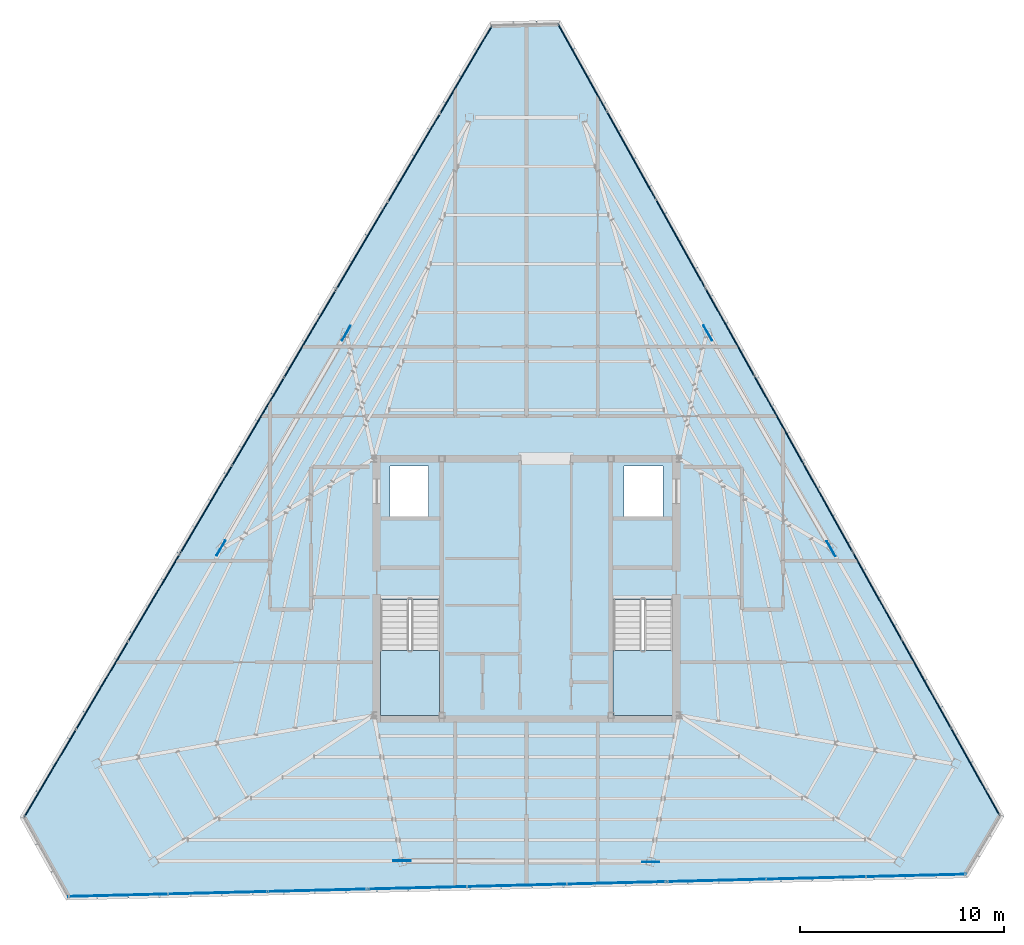
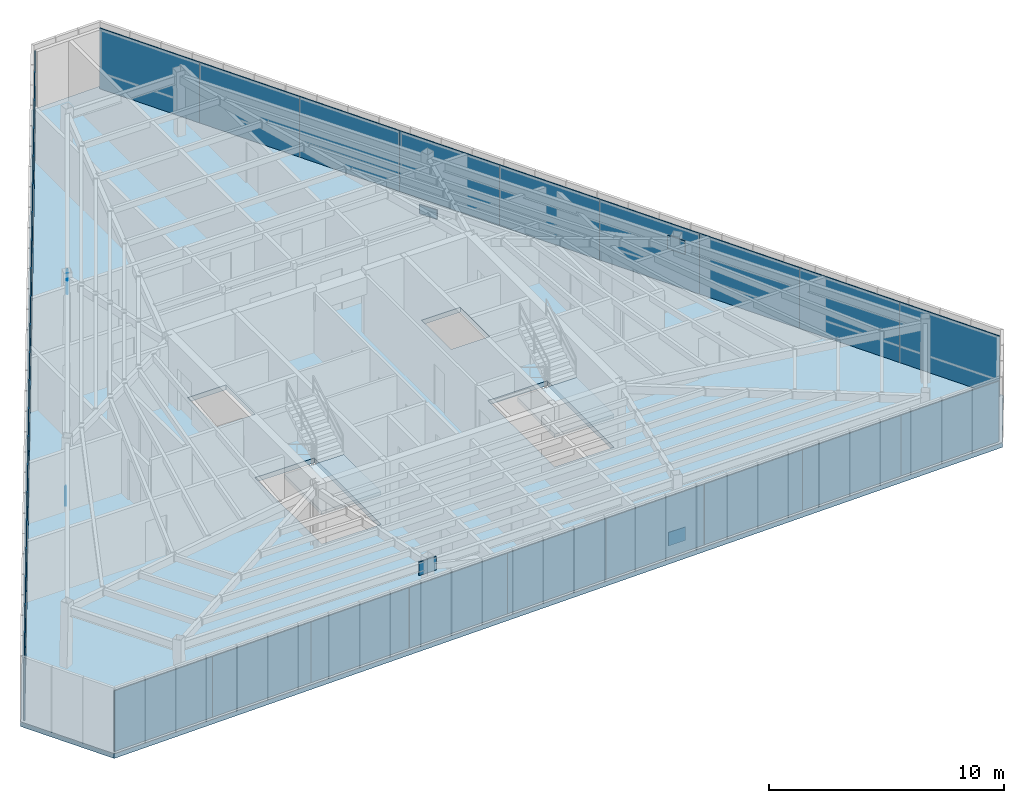
# One storey, part 38 of 48: 33 plates, 3 slabs, 11 elements without a shape of their own.
"""IFC4 building model written with IfcOpenShell, lengths in metres."""

from ifc_helpers import new_model, si_unit, direction, frame, origin, origin_2d, place, context, subcontext, project, spatial, polyline, rectangle, outline, extrude, source, transform, mapped, material, layer, layer_set, type_object, type_shapes, element, aggregate, save


model = new_model("IFC4")

# Units and contexts
model_context = context("Model", 3, precision=1e-05, world=origin(), true_north=direction((0.0, 1.0)))
body_context = subcontext(model_context, "Body", "Model", "MODEL_VIEW")
ifc_project = project(units=[si_unit("LENGTHUNIT", "METRE"), si_unit("AREAUNIT", "SQUARE_METRE"), si_unit("VOLUMEUNIT", "CUBIC_METRE"), si_unit("PLANEANGLEUNIT", "RADIAN"), si_unit("MASSUNIT", "GRAM", prefix="KILO")], contexts=[model_context])

# Site, building, storey
site_placement = place(None, origin())
site = spatial("IfcSite", under=ifc_project, at=site_placement, CompositionType="ELEMENT")
building_placement = place(site_placement, origin())
building = spatial("IfcBuilding", under=site, at=building_placement, Name="Caelisora Broadcast Tower", CompositionType="ELEMENT")
storey_placement = place(building_placement, frame((0.0, 0.0, 300.0)))
storey = spatial("IfcBuildingStorey", under=building, at=storey_placement, Name="L79", CompositionType="ELEMENT", Elevation=300.0)

# Slab
ifc_material_1 = material(Name="Concrete 45 MPa (AS 3600 S45)", Category="concrete")
ifc_layer_1 = layer(ifc_material_1, 0.25, Name="Concrete 45 MPa (AS 3600 S45)")
ifc_layer_set_1 = layer_set([ifc_layer_1], Name="Concrete 45 MPa (AS 3600 S45)")
slab_type_1 = type_object("IfcSlabType", Name="SL05", PredefinedType="FLOOR", material=ifc_layer_set_1)
slab_1_placement = place(storey_placement, frame((0.0, 0.0, -0.25)))
element("IfcSlab", 1, at=slab_1_placement, inside=storey, type_object=slab_type_1, Name="L79 suspended floor SL05", PredefinedType="FLOOR", context=body_context, shape_type="SweptSolid", body=[
    extrude(outline(polyline([(39.62890625, 51.52294921875), (36.22412109375, 51.43896484375), (13.14208984375, 12.387939453125), (15.39794921875, 8.345947265625), (59.659912109375, 9.444091796875), (61.43603515625, 12.447998046875), (39.62890625, 51.52294921875)]), holes=[polyline([(30.820068359375, 17.39990234375), (33.739990234375, 17.39990234375), (33.739990234375, 23.080078125), (30.820068359375, 23.080078125), (30.820068359375, 17.39990234375)]), polyline([(42.260009765625, 17.39990234375), (45.179931640625, 17.39990234375), (45.179931640625, 23.080078125), (42.260009765625, 23.080078125), (42.260009765625, 17.39990234375)]), polyline([(42.800048828125, 27.14990234375), (44.699951171875, 27.14990234375), (44.699951171875, 29.64990234375), (42.800048828125, 29.64990234375), (42.800048828125, 27.14990234375)]), polyline([(31.300048828125, 27.14990234375), (33.199951171875, 27.14990234375), (33.199951171875, 29.64990234375), (31.300048828125, 29.64990234375), (31.300048828125, 27.14990234375)])]), origin(), (0.0, 0.0, 1.0), 0.25),
])

# Stair, slab
ifc_material_2 = material(Name="Concrete 40 MPa (AS 3600 N40)", Category="concrete")
stair_type_1 = type_object("IfcStairType", Name="ST-1", PredefinedType="HALF_TURN_STAIR", material=ifc_material_2)
stair_1_placement = place(storey_placement, origin())
stair_1 = element("IfcStair", 2, at=stair_1_placement, inside=storey, type_object=stair_type_1, Name="L79 West Fire-Isolated Tower Stair", PredefinedType="HALF_TURN_STAIR")
ifc_layer_2 = layer(ifc_material_2, 0.199951171875, Name="Concrete 40 MPa (AS 3600 N40)")
ifc_layer_set_2 = layer_set([ifc_layer_2], Name="Concrete 40 MPa (AS 3600 N40)")
slab_type_2 = type_object("IfcSlabType", Name="STL-1", PredefinedType="LANDING", material=ifc_layer_set_2)
slab_2_placement = place(storey_placement, frame((0.0, 0.0, 1.5)))
slab_2 = element("IfcSlab", 3, at=slab_2_placement, type_object=slab_type_2, Name="ST-1 landing 1", PredefinedType="LANDING", context=body_context, shape_type="SweptSolid", body=[
    extrude(outline(polyline([(30.820068359375, 20.580078125), (30.820068359375, 17.39990234375), (33.739990234375, 17.39990234375), (33.739990234375, 20.580078125), (30.820068359375, 20.580078125)])), origin(), (0.0, 0.0, 1.0), 0.199951171875),
])
aggregate(stair_1, [slab_2])

stair_type_2 = type_object("IfcStairType", Name="ST-2", PredefinedType="HALF_TURN_STAIR", material=ifc_material_2)
stair_2_placement = place(storey_placement, origin())
stair_2 = element("IfcStair", 4, at=stair_2_placement, inside=storey, type_object=stair_type_2, Name="L79 East Fire-Isolated Tower Stair", PredefinedType="HALF_TURN_STAIR")
slab_3_placement = place(storey_placement, frame((0.0, 0.0, 1.5)))
slab_3 = element("IfcSlab", 5, at=slab_3_placement, type_object=slab_type_2, Name="ST-2 landing 1", PredefinedType="LANDING", context=body_context, shape_type="SweptSolid", body=[
    extrude(outline(polyline([(42.260009765625, 20.580078125), (42.260009765625, 17.39990234375), (45.179931640625, 17.39990234375), (45.179931640625, 20.580078125), (42.260009765625, 20.580078125)])), origin(), (0.0, 0.0, 1.0), 0.199951171875),
])
aggregate(stair_2, [slab_3])

# Plates
ifc_material_3 = material(Name="Steel Grade 350 L15 (AS/NZS 3678)", Category="steel")
ifc_layer_3 = layer(ifc_material_3, 0.0400390625, Name="Steel Grade 350 L15 (AS/NZS 3678)")
ifc_layer_set_3 = layer_set([ifc_layer_3], Name="Steel Grade 350 L15 (AS/NZS 3678)")
plate_type_1 = type_object("IfcPlateType", Name="GP04", PredefinedType="USERDEFINED", material=ifc_layer_set_3)
shared_shape_1 = source(origin(), body_context, "Body", "SweptSolid", [
    extrude(rectangle(XDim=0.85009765625, YDim=0.0400390625, at=origin_2d()), origin(), (0.0, 0.0, 1.0), 0.699951171875),
])
type_shapes(plate_type_1, [shared_shape_1])
for number, where, z_axis, x_axis, name in (
    (6, (29.1484375, 36.168701171875, 2.47998046875), (0.0, 0.0, 1.0), (-0.5, -0.866025403784, 0.0), "L79 gusset plate GP04 (ND-L79-C02T)"),
    (7, (22.994873046875, 25.619140625, -0.22998046875), (0.0, 0.0, 1.0), (-0.5, -0.866025403784, 0.0), "L79 gusset plate GP04 (ND-L79-C03B)"),
    (8, (31.88720703125, 10.25, 2.47998046875), (0.0, 0.0, 1.0), (1.0, 0.0, 0.0), "L79 gusset plate GP04 (ND-L79-C06T)"),
    (9, (44.100341796875, 10.195556640625, -0.22998046875), (0.0, 0.0, 1.0), (1.0, 0.0, 0.0), "L79 gusset plate GP04 (ND-L79-C07B)"),
    (10, (52.964111328125, 25.581298828125, 2.47998046875), (0.0, 0.0, 1.0), (-0.5, 0.866025403784, 0.0), "L79 gusset plate GP04 (ND-L79-C10T)"),
    (11, (46.90478515625, 36.185302734375, -0.22998046875), (0.0, 0.0, 1.0), (-0.5, 0.866025403784, 0.0), "L79 gusset plate GP04 (ND-L79-C11B)"),
):
    element("IfcPlate", number, at=place(storey_placement, frame(where, z_axis=z_axis, x_axis=x_axis)), inside=storey, type_object=plate_type_1, Name=name, ObjectType="GUSSET PLATE", PredefinedType="USERDEFINED", context=body_context, shape_type="MappedRepresentation", body=[
        mapped(shared_shape_1, transform((0.0, 0.0, 0.0), scale=1.0)),
    ])

# Curtain wall, plates
ifc_material_4 = material(Name="Unitised Aluminium Insulated Shadow-Box Spandrel Curtain Wall", Category="aluminium")
curtain_wall_type = type_object("IfcCurtainWallType", Name="CW-SP3", PredefinedType="NOTDEFINED", material=ifc_material_4)
curtain_wall_1_placement = place(storey_placement, origin())
curtain_wall_1 = element("IfcCurtainWall", 12, at=curtain_wall_1_placement, inside=storey, type_object=curtain_wall_type, Name="L79 curtain wall CW-SP3", PredefinedType="NOTDEFINED")
ifc_material_5 = material(Name="Insulated Terracotta Shadow-Box Spandrel Panel", Category="aluminium")
ifc_layer_4 = layer(ifc_material_5, 0.0439453125, Name="Insulated Terracotta Shadow-Box Spandrel Panel")
ifc_layer_set_4 = layer_set([ifc_layer_4], Name="Insulated Terracotta Shadow-Box Spandrel Panel")
plate_type_2 = type_object("IfcPlateType", Name="CWP-10", PredefinedType="CURTAIN_PANEL", material=ifc_layer_set_4)
shared_shape_2 = source(origin(), body_context, "Body", "SweptSolid", [
    extrude(rectangle(XDim=4.95068359375, YDim=0.0439453125, at=origin_2d()), origin(), (0.0, 0.0, 1.0), 3.14990234375),
])
plate_1_placement = place(storey_placement, frame((40.748291015625, 49.20947265625, 0.0), z_axis=(0.0, 0.0, 1.0), x_axis=(0.487250125725, -0.87326245481, 0.0)))
plate_1 = element("IfcPlate", 13, at=plate_1_placement, type_object=plate_type_2, Name="L79-CW-B01 spandrel panel #1", PredefinedType="CURTAIN_PANEL", context=body_context, shape_type="MappedRepresentation", body=[
    mapped(shared_shape_2, transform((0.0, 0.0, 0.0), scale=1.0)),
])
plate_2_placement = place(storey_placement, frame((43.160888671875, 44.88623046875, 0.0), z_axis=(0.0, 0.0, 1.0), x_axis=(0.487250125725, -0.87326245481, 0.0)))
plate_2 = element("IfcPlate", 14, at=plate_2_placement, type_object=plate_type_2, Name="L79-CW-B01 spandrel panel #2", PredefinedType="CURTAIN_PANEL", context=body_context, shape_type="MappedRepresentation", body=[
    mapped(shared_shape_2, transform((0.0, 0.0, 0.0), scale=1.0)),
])
plate_3_placement = place(storey_placement, frame((45.573486328125, 40.563232421875, 0.0), z_axis=(0.0, 0.0, 1.0), x_axis=(0.487250125725, -0.87326245481, 0.0)))
plate_3 = element("IfcPlate", 15, at=plate_3_placement, type_object=plate_type_2, Name="L79-CW-B01 spandrel panel #3", PredefinedType="CURTAIN_PANEL", context=body_context, shape_type="MappedRepresentation", body=[
    mapped(shared_shape_2, transform((0.0, 0.0, 0.0), scale=1.0)),
])
aggregate(curtain_wall_1, [plate_1, plate_2, plate_3])

curtain_wall_2_placement = place(storey_placement, origin())
curtain_wall_2 = element("IfcCurtainWall", 16, at=curtain_wall_2_placement, inside=storey, type_object=curtain_wall_type, Name="L79 curtain wall CW-SP3", PredefinedType="NOTDEFINED")
plate_4_placement = place(storey_placement, frame((55.2314453125, 23.2578125, 0.0), z_axis=(0.0, 0.0, 1.0), x_axis=(0.487250125725, -0.87326245481, 0.0)))
plate_4 = element("IfcPlate", 17, at=plate_4_placement, type_object=plate_type_2, Name="L79-CW-B03 spandrel panel #1", PredefinedType="CURTAIN_PANEL", context=body_context, shape_type="MappedRepresentation", body=[
    mapped(shared_shape_2, transform((0.0, 0.0, 0.0), scale=1.0)),
])
plate_5_placement = place(storey_placement, frame((57.64404296875, 18.934814453125, 0.0), z_axis=(0.0, 0.0, 1.0), x_axis=(0.487250125725, -0.87326245481, 0.0)))
plate_5 = element("IfcPlate", 18, at=plate_5_placement, type_object=plate_type_2, Name="L79-CW-B03 spandrel panel #2", PredefinedType="CURTAIN_PANEL", context=body_context, shape_type="MappedRepresentation", body=[
    mapped(shared_shape_2, transform((0.0, 0.0, 0.0), scale=1.0)),
])
plate_6_placement = place(storey_placement, frame((60.056640625, 14.611572265625, 0.0), z_axis=(0.0, 0.0, 1.0), x_axis=(0.487250125725, -0.87326245481, 0.0)))
plate_6 = element("IfcPlate", 19, at=plate_6_placement, type_object=plate_type_2, Name="L79-CW-B03 spandrel panel #3", PredefinedType="CURTAIN_PANEL", context=body_context, shape_type="MappedRepresentation", body=[
    mapped(shared_shape_2, transform((0.0, 0.0, 0.0), scale=1.0)),
])
aggregate(curtain_wall_2, [plate_4, plate_5, plate_6])

curtain_wall_3_placement = place(storey_placement, origin())
curtain_wall_3 = element("IfcCurtainWall", 20, at=curtain_wall_3_placement, inside=storey, type_object=curtain_wall_type, Name="L79 curtain wall CW-SP3", PredefinedType="NOTDEFINED")
shared_shape_3 = source(origin(), body_context, "Body", "SweptSolid", [
    extrude(rectangle(XDim=4.94921875, YDim=0.0439453125, at=origin_2d()), origin(), (0.0, 0.0, 1.0), 3.14990234375),
])
plate_7_placement = place(storey_placement, frame((47.99072265625, 36.232177734375, 0.0), z_axis=(0.0, 0.0, 1.0), x_axis=(0.487250125725, -0.87326245481, 0.0)))
plate_7 = element("IfcPlate", 21, at=plate_7_placement, type_object=plate_type_2, Name="L79-CW-B02 spandrel panel #1", PredefinedType="CURTAIN_PANEL", context=body_context, shape_type="MappedRepresentation", body=[
    mapped(shared_shape_3, transform((0.0, 0.0, 0.0), scale=1.0)),
])
plate_8_placement = place(storey_placement, frame((50.402587890625, 31.910400390625, 0.0), z_axis=(0.0, 0.0, 1.0), x_axis=(0.487250125725, -0.87326245481, 0.0)))
plate_8 = element("IfcPlate", 22, at=plate_8_placement, type_object=plate_type_2, Name="L79-CW-B02 spandrel panel #2", PredefinedType="CURTAIN_PANEL", context=body_context, shape_type="MappedRepresentation", body=[
    mapped(shared_shape_3, transform((0.0, 0.0, 0.0), scale=1.0)),
])
plate_9_placement = place(storey_placement, frame((52.814208984375, 27.5888671875, 0.0), z_axis=(0.0, 0.0, 1.0), x_axis=(0.487250125725, -0.87326245481, 0.0)))
plate_9 = element("IfcPlate", 23, at=plate_9_placement, type_object=plate_type_2, Name="L79-CW-B02 spandrel panel #3", PredefinedType="CURTAIN_PANEL", context=body_context, shape_type="MappedRepresentation", body=[
    mapped(shared_shape_3, transform((0.0, 0.0, 0.0), scale=1.0)),
])
aggregate(curtain_wall_3, [plate_7, plate_8, plate_9])

curtain_wall_4_placement = place(storey_placement, origin())
curtain_wall_4 = element("IfcCurtainWall", 24, at=curtain_wall_4_placement, inside=storey, type_object=curtain_wall_type, Name="L79 curtain wall CW-SP3", PredefinedType="NOTDEFINED")
shared_shape_4 = source(origin(), body_context, "Body", "SweptSolid", [
    extrude(rectangle(XDim=4.8984375, YDim=0.0439453125, at=origin_2d()), origin(), (0.0, 0.0, 1.0), 3.14990234375),
])
plate_10_placement = place(storey_placement, frame((57.12451171875, 9.53125, 0.0), z_axis=(0.0, 0.0, 1.0), x_axis=(-0.999692900437, -0.024781138308, 0.0)))
plate_10 = element("IfcPlate", 25, at=plate_10_placement, type_object=plate_type_2, Name="L79-CW-B05 spandrel panel #1", PredefinedType="CURTAIN_PANEL", context=body_context, shape_type="MappedRepresentation", body=[
    mapped(shared_shape_4, transform((0.0, 0.0, 0.0), scale=1.0)),
])
plate_11_placement = place(storey_placement, frame((52.2275390625, 9.40966796875, 0.0), z_axis=(0.0, 0.0, 1.0), x_axis=(-0.999692900437, -0.024781138308, 0.0)))
plate_11 = element("IfcPlate", 26, at=plate_11_placement, type_object=plate_type_2, Name="L79-CW-B05 spandrel panel #2", PredefinedType="CURTAIN_PANEL", context=body_context, shape_type="MappedRepresentation", body=[
    mapped(shared_shape_4, transform((0.0, 0.0, 0.0), scale=1.0)),
])
plate_12_placement = place(storey_placement, frame((47.33056640625, 9.2880859375, 0.0), z_axis=(0.0, 0.0, 1.0), x_axis=(-0.999692900437, -0.024781138308, 0.0)))
plate_12 = element("IfcPlate", 27, at=plate_12_placement, type_object=plate_type_2, Name="L79-CW-B05 spandrel panel #3", PredefinedType="CURTAIN_PANEL", context=body_context, shape_type="MappedRepresentation", body=[
    mapped(shared_shape_4, transform((0.0, 0.0, 0.0), scale=1.0)),
])
aggregate(curtain_wall_4, [plate_10, plate_11, plate_12])

curtain_wall_5_placement = place(storey_placement, origin())
curtain_wall_5 = element("IfcCurtainWall", 28, at=curtain_wall_5_placement, inside=storey, type_object=curtain_wall_type, Name="L79 curtain wall CW-SP3", PredefinedType="NOTDEFINED")
plate_13_placement = place(storey_placement, frame((27.7275390625, 8.8017578125, 0.0), z_axis=(0.0, 0.0, 1.0), x_axis=(-0.999692900437, -0.024781138308, 0.0)))
plate_13 = element("IfcPlate", 29, at=plate_13_placement, type_object=plate_type_2, Name="L79-CW-B07 spandrel panel #1", PredefinedType="CURTAIN_PANEL", context=body_context, shape_type="MappedRepresentation", body=[
    mapped(shared_shape_4, transform((0.0, 0.0, 0.0), scale=1.0)),
])
plate_14_placement = place(storey_placement, frame((22.83056640625, 8.680419921875, 0.0), z_axis=(0.0, 0.0, 1.0), x_axis=(-0.999692900437, -0.024781138308, 0.0)))
plate_14 = element("IfcPlate", 30, at=plate_14_placement, type_object=plate_type_2, Name="L79-CW-B07 spandrel panel #2", PredefinedType="CURTAIN_PANEL", context=body_context, shape_type="MappedRepresentation", body=[
    mapped(shared_shape_4, transform((0.0, 0.0, 0.0), scale=1.0)),
])
plate_15_placement = place(storey_placement, frame((17.93359375, 8.558837890625, 0.0), z_axis=(0.0, 0.0, 1.0), x_axis=(-0.999692900437, -0.024781138308, 0.0)))
plate_15 = element("IfcPlate", 31, at=plate_15_placement, type_object=plate_type_2, Name="L79-CW-B07 spandrel panel #3", PredefinedType="CURTAIN_PANEL", context=body_context, shape_type="MappedRepresentation", body=[
    mapped(shared_shape_4, transform((0.0, 0.0, 0.0), scale=1.0)),
])
aggregate(curtain_wall_5, [plate_13, plate_14, plate_15])

curtain_wall_6_placement = place(storey_placement, origin())
curtain_wall_6 = element("IfcCurtainWall", 32, at=curtain_wall_6_placement, inside=storey, type_object=curtain_wall_type, Name="L79 curtain wall CW-SP3", PredefinedType="NOTDEFINED")
shared_shape_5 = source(origin(), body_context, "Body", "SweptSolid", [
    extrude(rectangle(XDim=4.896728515625, YDim=0.0439453125, at=origin_2d()), origin(), (0.0, 0.0, 1.0), 3.14990234375),
])
plate_16_placement = place(storey_placement, frame((42.42431640625, 9.16650390625, 0.0), z_axis=(0.0, 0.0, 1.0), x_axis=(-0.999692900437, -0.024781138308, 0.0)))
plate_16 = element("IfcPlate", 33, at=plate_16_placement, type_object=plate_type_2, Name="L79-CW-B06 spandrel panel #1", PredefinedType="CURTAIN_PANEL", context=body_context, shape_type="MappedRepresentation", body=[
    mapped(shared_shape_5, transform((0.0, 0.0, 0.0), scale=1.0)),
])
plate_17_placement = place(storey_placement, frame((37.529052734375, 9.044921875, 0.0), z_axis=(0.0, 0.0, 1.0), x_axis=(-0.999692900437, -0.024781138308, 0.0)))
plate_17 = element("IfcPlate", 34, at=plate_17_placement, type_object=plate_type_2, Name="L79-CW-B06 spandrel panel #2", PredefinedType="CURTAIN_PANEL", context=body_context, shape_type="MappedRepresentation", body=[
    mapped(shared_shape_5, transform((0.0, 0.0, 0.0), scale=1.0)),
])
plate_18_placement = place(storey_placement, frame((32.6337890625, 8.923583984375, 0.0), z_axis=(0.0, 0.0, 1.0), x_axis=(-0.999692900437, -0.024781138308, 0.0)))
plate_18 = element("IfcPlate", 35, at=plate_18_placement, type_object=plate_type_2, Name="L79-CW-B06 spandrel panel #3", PredefinedType="CURTAIN_PANEL", context=body_context, shape_type="MappedRepresentation", body=[
    mapped(shared_shape_5, transform((0.0, 0.0, 0.0), scale=1.0)),
])
aggregate(curtain_wall_6, [plate_16, plate_17, plate_18])

curtain_wall_7_placement = place(storey_placement, origin())
curtain_wall_7 = element("IfcCurtainWall", 36, at=curtain_wall_7_placement, inside=storey, type_object=curtain_wall_type, Name="L79 curtain wall CW-SP3", PredefinedType="NOTDEFINED")
shared_shape_6 = source(origin(), body_context, "Body", "SweptSolid", [
    extrude(rectangle(XDim=5.019775390625, YDim=0.0439453125, at=origin_2d()), origin(), (0.0, 0.0, 1.0), 3.14990234375),
])
plate_19_placement = place(storey_placement, frame((14.592041015625, 14.546630859375, 0.0), z_axis=(0.0, 0.0, 1.0), x_axis=(0.508891180174, 0.860830858381, 0.0)))
plate_19 = element("IfcPlate", 37, at=plate_19_placement, type_object=plate_type_2, Name="L79-CW-B09 spandrel panel #1", PredefinedType="CURTAIN_PANEL", context=body_context, shape_type="MappedRepresentation", body=[
    mapped(shared_shape_6, transform((0.0, 0.0, 0.0), scale=1.0)),
])
plate_20_placement = place(storey_placement, frame((17.146484375, 18.867919921875, 0.0), z_axis=(0.0, 0.0, 1.0), x_axis=(0.508891180174, 0.860830858381, 0.0)))
plate_20 = element("IfcPlate", 38, at=plate_20_placement, type_object=plate_type_2, Name="L79-CW-B09 spandrel panel #2", PredefinedType="CURTAIN_PANEL", context=body_context, shape_type="MappedRepresentation", body=[
    mapped(shared_shape_6, transform((0.0, 0.0, 0.0), scale=1.0)),
])
plate_21_placement = place(storey_placement, frame((19.70068359375, 23.189453125, 0.0), z_axis=(0.0, 0.0, 1.0), x_axis=(0.508891180174, 0.860830858381, 0.0)))
plate_21 = element("IfcPlate", 39, at=plate_21_placement, type_object=plate_type_2, Name="L79-CW-B09 spandrel panel #3", PredefinedType="CURTAIN_PANEL", context=body_context, shape_type="MappedRepresentation", body=[
    mapped(shared_shape_6, transform((0.0, 0.0, 0.0), scale=1.0)),
])
aggregate(curtain_wall_7, [plate_19, plate_20, plate_21])

curtain_wall_8_placement = place(storey_placement, origin())
curtain_wall_8 = element("IfcCurtainWall", 40, at=curtain_wall_8_placement, inside=storey, type_object=curtain_wall_type, Name="L79 curtain wall CW-SP3", PredefinedType="NOTDEFINED")
plate_22_placement = place(storey_placement, frame((29.92529296875, 40.487548828125, 0.0), z_axis=(0.0, 0.0, 1.0), x_axis=(0.508891180174, 0.860830858381, 0.0)))
plate_22 = element("IfcPlate", 41, at=plate_22_placement, type_object=plate_type_2, Name="L79-CW-B11 spandrel panel #1", PredefinedType="CURTAIN_PANEL", context=body_context, shape_type="MappedRepresentation", body=[
    mapped(shared_shape_6, transform((0.0, 0.0, 0.0), scale=1.0)),
])
plate_23_placement = place(storey_placement, frame((32.4794921875, 44.80908203125, 0.0), z_axis=(0.0, 0.0, 1.0), x_axis=(0.508891180174, 0.860830858381, 0.0)))
plate_23 = element("IfcPlate", 42, at=plate_23_placement, type_object=plate_type_2, Name="L79-CW-B11 spandrel panel #2", PredefinedType="CURTAIN_PANEL", context=body_context, shape_type="MappedRepresentation", body=[
    mapped(shared_shape_6, transform((0.0, 0.0, 0.0), scale=1.0)),
])
plate_24_placement = place(storey_placement, frame((35.033935546875, 49.13037109375, 0.0), z_axis=(0.0, 0.0, 1.0), x_axis=(0.508891180174, 0.860830858381, 0.0)))
plate_24 = element("IfcPlate", 43, at=plate_24_placement, type_object=plate_type_2, Name="L79-CW-B11 spandrel panel #3", PredefinedType="CURTAIN_PANEL", context=body_context, shape_type="MappedRepresentation", body=[
    mapped(shared_shape_6, transform((0.0, 0.0, 0.0), scale=1.0)),
])
aggregate(curtain_wall_8, [plate_22, plate_23, plate_24])

curtain_wall_9_placement = place(storey_placement, origin())
curtain_wall_9 = element("IfcCurtainWall", 44, at=curtain_wall_9_placement, inside=storey, type_object=curtain_wall_type, Name="L79 curtain wall CW-SP3", PredefinedType="NOTDEFINED")
shared_shape_7 = source(origin(), body_context, "Body", "SweptSolid", [
    extrude(rectangle(XDim=5.01806640625, YDim=0.0439453125, at=origin_2d()), origin(), (0.0, 0.0, 1.0), 3.14990234375),
])
type_shapes(plate_type_2, [shared_shape_2, shared_shape_3, shared_shape_4, shared_shape_5, shared_shape_6, shared_shape_7])
plate_25_placement = place(storey_placement, frame((22.259521484375, 27.5185546875, 0.0), z_axis=(0.0, 0.0, 1.0), x_axis=(0.508891180174, 0.860830858381, 0.0)))
plate_25 = element("IfcPlate", 45, at=plate_25_placement, type_object=plate_type_2, Name="L79-CW-B10 spandrel panel #1", PredefinedType="CURTAIN_PANEL", context=body_context, shape_type="MappedRepresentation", body=[
    mapped(shared_shape_7, transform((0.0, 0.0, 0.0), scale=1.0)),
])
plate_26_placement = place(storey_placement, frame((24.81298828125, 31.83837890625, 0.0), z_axis=(0.0, 0.0, 1.0), x_axis=(0.508891180174, 0.860830858381, 0.0)))
plate_26 = element("IfcPlate", 46, at=plate_26_placement, type_object=plate_type_2, Name="L79-CW-B10 spandrel panel #2", PredefinedType="CURTAIN_PANEL", context=body_context, shape_type="MappedRepresentation", body=[
    mapped(shared_shape_7, transform((0.0, 0.0, 0.0), scale=1.0)),
])
plate_27_placement = place(storey_placement, frame((27.366455078125, 36.158447265625, 0.0), z_axis=(0.0, 0.0, 1.0), x_axis=(0.508891180174, 0.860830858381, 0.0)))
plate_27 = element("IfcPlate", 47, at=plate_27_placement, type_object=plate_type_2, Name="L79-CW-B10 spandrel panel #3", PredefinedType="CURTAIN_PANEL", context=body_context, shape_type="MappedRepresentation", body=[
    mapped(shared_shape_7, transform((0.0, 0.0, 0.0), scale=1.0)),
])
aggregate(curtain_wall_9, [plate_25, plate_26, plate_27])

save(model, "model.ifc")
